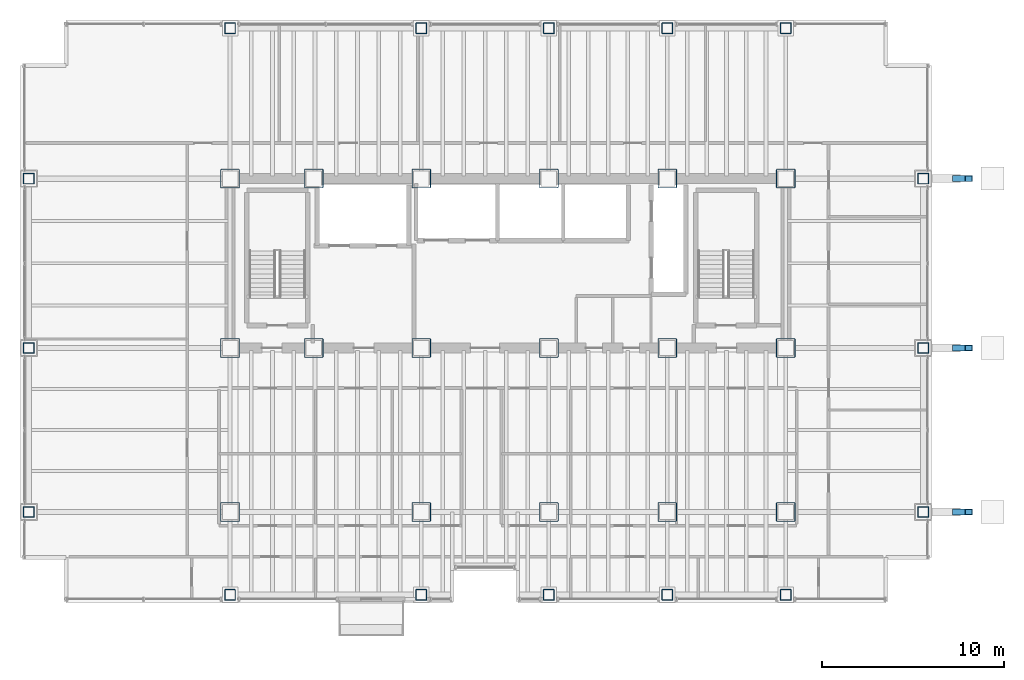
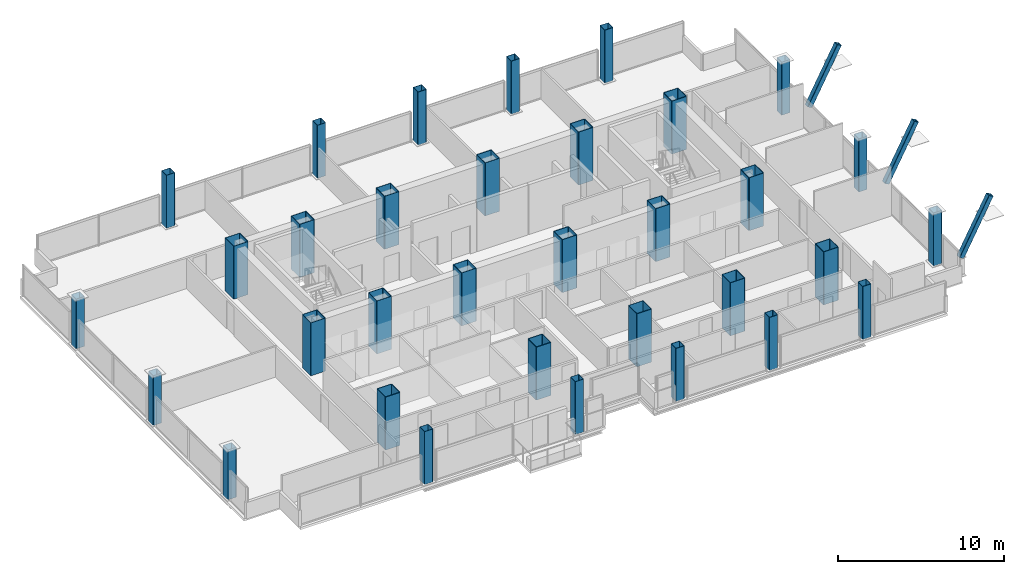
# One storey, part 1 of 21: 36 columns.
"""IFC4 building model written with IfcOpenShell, lengths in metres."""

from ifc_helpers import new_model, si_unit, direction, frame, origin, origin_2d, place, context, subcontext, project, spatial, hollow_rectangle, extrude, material, material_profile, profile_set, type_object, element, save


model = new_model("IFC4")

# Units and contexts
model_context = context("Model", 3, precision=1e-05, world=origin(), true_north=direction((0.0, 1.0)))
body_context = subcontext(model_context, "Body", "Model", "MODEL_VIEW")
ifc_project = project(units=[si_unit("LENGTHUNIT", "METRE"), si_unit("AREAUNIT", "SQUARE_METRE"), si_unit("VOLUMEUNIT", "CUBIC_METRE"), si_unit("PLANEANGLEUNIT", "RADIAN"), si_unit("MASSUNIT", "GRAM", prefix="KILO")], contexts=[model_context])

# Site, building, storey
site_placement = place(None, origin())
site = spatial("IfcSite", under=ifc_project, at=site_placement, CompositionType="ELEMENT")
building_placement = place(site_placement, origin())
building = spatial("IfcBuilding", under=site, at=building_placement, Name="Noeulbin Bourse Tower", CompositionType="ELEMENT")
storey_placement = place(building_placement, frame((0.0, 0.0, 49.89990234375)))
storey = spatial("IfcBuildingStorey", under=building, at=storey_placement, Name="L12", CompositionType="ELEMENT", Elevation=49.89990234375)

# Columns
ifc_material_1 = material(Name="Steel S355", Category="steel")
ifc_material_profile_1 = material_profile(ifc_material_1, hollow_rectangle(XDim=0.35009765625, YDim=0.35009765625, WallThickness=0.01611328125, InnerFilletRadius=0.01611328125, OuterFilletRadius=0.031982421875, at=origin_2d()), Name="SHS-350x350x16", Category="LoadBearing")
ifc_profile_set_1 = profile_set([ifc_material_profile_1], Name="Steel S355")
column_type_1 = type_object("IfcColumnType", Name="COL-CRN-Z5", PredefinedType="COLUMN", material=ifc_profile_set_1)
for number, where, z_axis, x_axis, name in (
    (1, (53.300048828125, 20.0, -0.199951171875), (0.469042229226, 0.0, 0.883175739704), (0.0, 1.0, 0.0), "Exoskeleton Raking Prop Column L12-01"),
    (2, (53.300048828125, 29.0, -0.199951171875), (0.469042229226, 0.0, 0.883175739704), (0.0, 1.0, 0.0), "Exoskeleton Raking Prop Column L12-02"),
    (3, (53.300048828125, 38.300048828125, -0.199951171875), (0.469042229226, 0.0, 0.883175739704), (0.0, 1.0, 0.0), "Exoskeleton Raking Prop Column L12-03"),
):
    element("IfcColumn", number, at=place(storey_placement, frame(where, z_axis=z_axis, x_axis=x_axis)), inside=storey, type_object=column_type_1, Name=name, PredefinedType="COLUMN", context=body_context, shape_type="SweptSolid", body=[
        extrude(hollow_rectangle(XDim=0.35009765625, YDim=0.35009765625, WallThickness=0.01611328125, InnerFilletRadius=0.01611328125, OuterFilletRadius=0.031982421875, at=origin_2d()), origin(), (0.0, 0.0, 1.0), 4.37060546875),
    ])
ifc_material_2 = material(Name="Steel S460", Category="steel")
ifc_material_profile_2 = material_profile(ifc_material_2, hollow_rectangle(XDim=0.60009765625, YDim=0.60009765625, WallThickness=0.02587890625, InnerFilletRadius=0.012939453125, OuterFilletRadius=0.0390625, at=origin_2d()), Name="BOX-600x600x26", Category="LoadBearing")
ifc_profile_set_2 = profile_set([ifc_material_profile_2], Name="Steel S460")
column_type_2 = type_object("IfcColumnType", Name="COL-PER-Z1", PredefinedType="COLUMN", material=ifc_profile_set_2)
for number, where, z_axis, x_axis, name in (
    (4, (2.449951171875, 20.0, 0.0), (0.0, 0.0, 1.0), (1.0, 0.0, 0.0), "Tower Perimeter Column COL-PER-Z1 01"),
    (5, (2.449951171875, 29.0, 0.0), (0.0, 0.0, 1.0), (1.0, 0.0, 0.0), "Tower Perimeter Column COL-PER-Z1 02"),
    (6, (2.449951171875, 38.300048828125, 0.0), (0.0, 0.0, 1.0), (1.0, 0.0, 0.0), "Tower Perimeter Column COL-PER-Z1 03"),
):
    element("IfcColumn", number, at=place(storey_placement, frame(where, z_axis=z_axis, x_axis=x_axis)), inside=storey, type_object=column_type_2, Name=name, PredefinedType="COLUMN", context=body_context, shape_type="SweptSolid", body=[
        extrude(hollow_rectangle(XDim=0.60009765625, YDim=0.60009765625, WallThickness=0.02587890625, InnerFilletRadius=0.012939453125, OuterFilletRadius=0.0390625, at=origin_2d()), origin(), (0.0, 0.0, 1.0), 3.66015625),
    ])
for number, where, z_axis, x_axis, name in (
    (7, (13.5, 15.449951171875, 0.0), (0.0, 0.0, 1.0), (1.0, 0.0, 0.0), "Tower Perimeter Column COL-PER-Z1 04"),
    (8, (13.5, 46.550048828125, 0.0), (0.0, 0.0, 1.0), (1.0, 0.0, 0.0), "Tower Perimeter Column COL-PER-Z1 05"),
    (9, (24.0, 15.449951171875, 0.0), (0.0, 0.0, 1.0), (1.0, 0.0, 0.0), "Tower Perimeter Column COL-PER-Z1 06"),
    (10, (24.0, 46.550048828125, 0.0), (0.0, 0.0, 1.0), (1.0, 0.0, 0.0), "Tower Perimeter Column COL-PER-Z1 07"),
    (11, (31.0, 15.449951171875, 0.0), (0.0, 0.0, 1.0), (1.0, 0.0, 0.0), "Tower Perimeter Column COL-PER-Z1 08"),
    (12, (31.0, 46.550048828125, 0.0), (0.0, 0.0, 1.0), (1.0, 0.0, 0.0), "Tower Perimeter Column COL-PER-Z1 09"),
    (13, (37.5, 15.449951171875, 0.0), (0.0, 0.0, 1.0), (1.0, 0.0, 0.0), "Tower Perimeter Column COL-PER-Z1 10"),
    (14, (37.5, 46.550048828125, 0.0), (0.0, 0.0, 1.0), (1.0, 0.0, 0.0), "Tower Perimeter Column COL-PER-Z1 11"),
    (15, (44.0, 15.449951171875, 0.0), (0.0, 0.0, 1.0), (1.0, 0.0, 0.0), "Tower Perimeter Column COL-PER-Z1 12"),
    (16, (44.0, 46.550048828125, 0.0), (0.0, 0.0, 1.0), (1.0, 0.0, 0.0), "Tower Perimeter Column COL-PER-Z1 13"),
    (17, (51.550048828125, 20.0, 0.0), (0.0, 0.0, 1.0), (1.0, 0.0, 0.0), "Tower Perimeter Column COL-PER-Z1 14"),
    (18, (51.550048828125, 29.0, 0.0), (0.0, 0.0, 1.0), (1.0, 0.0, 0.0), "Tower Perimeter Column COL-PER-Z1 15"),
    (19, (51.550048828125, 38.300048828125, 0.0), (0.0, 0.0, 1.0), (1.0, 0.0, 0.0), "Tower Perimeter Column COL-PER-Z1 16"),
):
    element("IfcColumn", number, at=place(storey_placement, frame(where, z_axis=z_axis, x_axis=x_axis)), inside=storey, type_object=column_type_2, Name=name, PredefinedType="COLUMN", context=body_context, shape_type="SweptSolid", body=[
        extrude(hollow_rectangle(XDim=0.60009765625, YDim=0.60009765625, WallThickness=0.02587890625, InnerFilletRadius=0.012939453125, OuterFilletRadius=0.0390625, at=origin_2d()), origin(), (0.0, 0.0, 1.0), 3.900146484375),
    ])
ifc_material_profile_3 = material_profile(ifc_material_2, hollow_rectangle(XDim=1.050048828125, YDim=1.050048828125, WallThickness=0.0380859375, InnerFilletRadius=0.01904296875, OuterFilletRadius=0.056884765625, at=origin_2d()), Name="BOX-1050x1050x38", Category="LoadBearing")
ifc_profile_set_3 = profile_set([ifc_material_profile_3], Name="Steel S460")
column_type_3 = type_object("IfcColumnType", Name="COL-TRK-Z1", PredefinedType="COLUMN", material=ifc_profile_set_3)
for number, where, z_axis, x_axis, name in (
    (20, (13.5, 29.0, 0.0), (0.0, 0.0, 1.0), (1.0, 0.0, 0.0), "Tower Trunk Mega-Column COL-TRK-Z1 01"),
    (21, (13.5, 38.300048828125, 0.0), (0.0, 0.0, 1.0), (1.0, 0.0, 0.0), "Tower Trunk Mega-Column COL-TRK-Z1 02"),
    (22, (18.10009765625, 29.0, 0.0), (0.0, 0.0, 1.0), (1.0, 0.0, 0.0), "Tower Trunk Mega-Column COL-TRK-Z1 03"),
    (23, (18.10009765625, 38.300048828125, 0.0), (0.0, 0.0, 1.0), (1.0, 0.0, 0.0), "Tower Trunk Mega-Column COL-TRK-Z1 04"),
    (24, (24.0, 29.0, 0.0), (0.0, 0.0, 1.0), (1.0, 0.0, 0.0), "Tower Trunk Mega-Column COL-TRK-Z1 05"),
    (25, (24.0, 38.300048828125, 0.0), (0.0, 0.0, 1.0), (1.0, 0.0, 0.0), "Tower Trunk Mega-Column COL-TRK-Z1 06"),
    (26, (31.0, 29.0, 0.0), (0.0, 0.0, 1.0), (1.0, 0.0, 0.0), "Tower Trunk Mega-Column COL-TRK-Z1 07"),
    (27, (31.0, 38.300048828125, 0.0), (0.0, 0.0, 1.0), (1.0, 0.0, 0.0), "Tower Trunk Mega-Column COL-TRK-Z1 08"),
    (28, (37.5, 29.0, 0.0), (0.0, 0.0, 1.0), (1.0, 0.0, 0.0), "Tower Trunk Mega-Column COL-TRK-Z1 09"),
    (29, (37.5, 38.300048828125, 0.0), (0.0, 0.0, 1.0), (1.0, 0.0, 0.0), "Tower Trunk Mega-Column COL-TRK-Z1 10"),
    (30, (44.0, 29.0, 0.0), (0.0, 0.0, 1.0), (1.0, 0.0, 0.0), "Tower Trunk Mega-Column COL-TRK-Z1 11"),
    (31, (44.0, 38.300048828125, 0.0), (0.0, 0.0, 1.0), (1.0, 0.0, 0.0), "Tower Trunk Mega-Column COL-TRK-Z1 12"),
    (32, (13.5, 20.0, 0.0), (0.0, 0.0, 1.0), (1.0, 0.0, 0.0), "Tower Trunk Mega-Column COL-TRK-Z1 13"),
    (33, (24.0, 20.0, 0.0), (0.0, 0.0, 1.0), (1.0, 0.0, 0.0), "Tower Trunk Mega-Column COL-TRK-Z1 14"),
    (34, (31.0, 20.0, 0.0), (0.0, 0.0, 1.0), (1.0, 0.0, 0.0), "Tower Trunk Mega-Column COL-TRK-Z1 15"),
    (35, (37.5, 20.0, 0.0), (0.0, 0.0, 1.0), (1.0, 0.0, 0.0), "Tower Trunk Mega-Column COL-TRK-Z1 16"),
    (36, (44.0, 20.0, 0.0), (0.0, 0.0, 1.0), (1.0, 0.0, 0.0), "Tower Trunk Mega-Column COL-TRK-Z1 17"),
):
    element("IfcColumn", number, at=place(storey_placement, frame(where, z_axis=z_axis, x_axis=x_axis)), inside=storey, type_object=column_type_3, Name=name, PredefinedType="COLUMN", context=body_context, shape_type="SweptSolid", body=[
        extrude(hollow_rectangle(XDim=1.050048828125, YDim=1.050048828125, WallThickness=0.0380859375, InnerFilletRadius=0.01904296875, OuterFilletRadius=0.056884765625, at=origin_2d()), origin(), (0.0, 0.0, 1.0), 3.900146484375),
    ])

save(model, "model.ifc")
